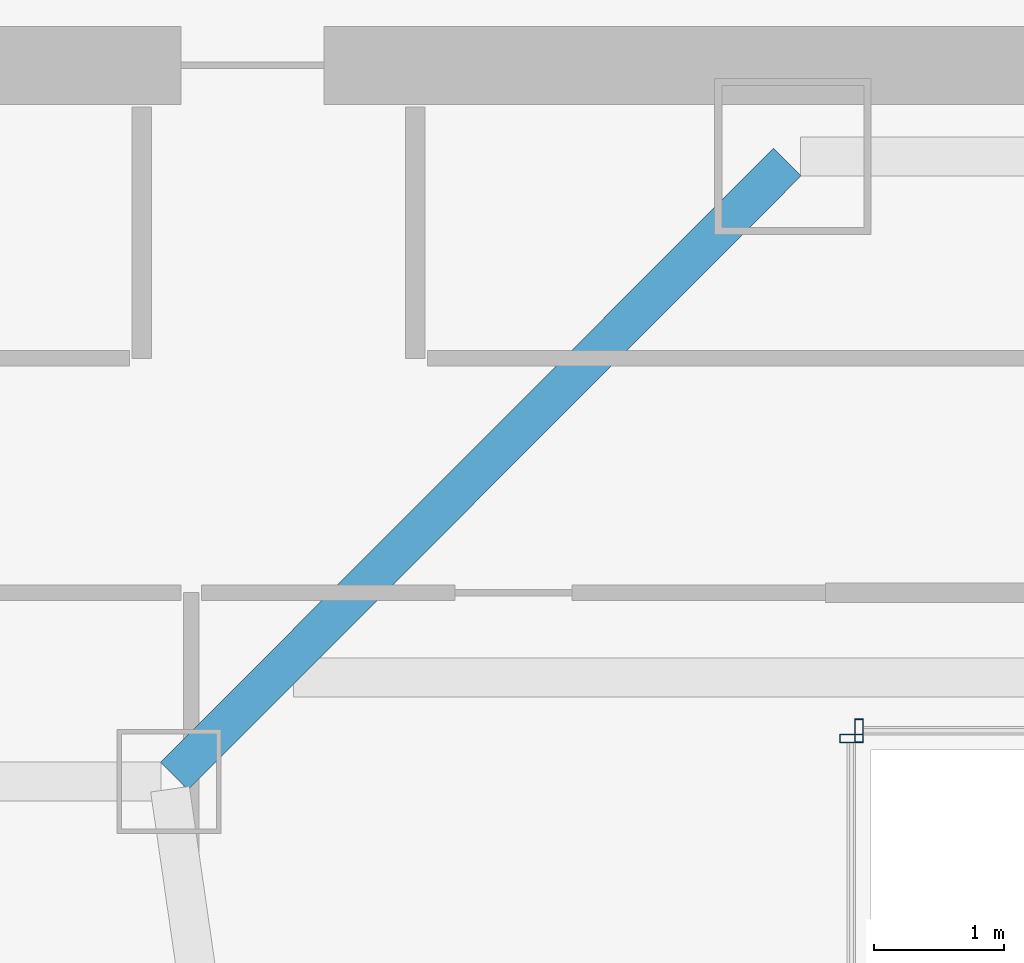
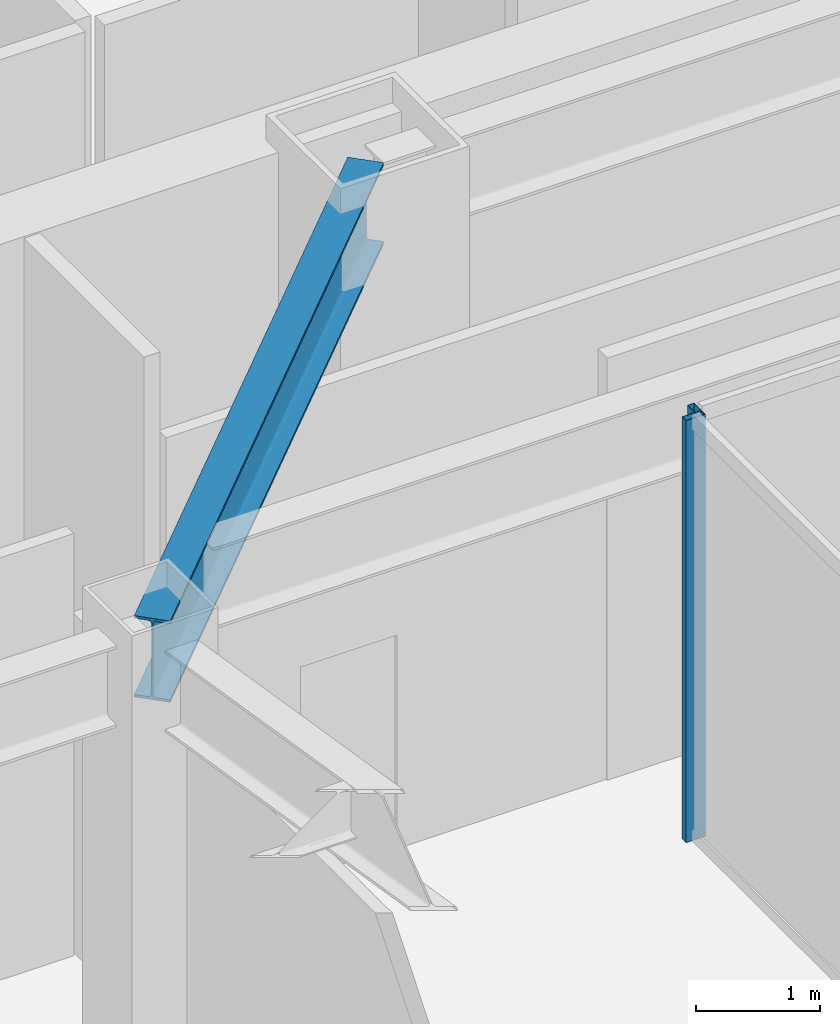
# One storey, part 24 of 47: 2 members, 1 beam, 2 elements without a shape of their own.
"""IFC4 building model written with IfcOpenShell, lengths in metres."""

from ifc_helpers import new_model, si_unit, direction, frame, origin, origin_2d, place, context, subcontext, project, spatial, hollow_rectangle, i_section, extrude, material, material_profile, profile_set, type_object, element, aggregate, save


model = new_model("IFC4")

# Units and contexts
model_context = context("Model", 3, precision=1e-05, world=origin(), true_north=direction((0.0, 1.0)))
body_context = subcontext(model_context, "Body", "Model", "MODEL_VIEW")
ifc_project = project(units=[si_unit("LENGTHUNIT", "METRE"), si_unit("AREAUNIT", "SQUARE_METRE"), si_unit("VOLUMEUNIT", "CUBIC_METRE"), si_unit("PLANEANGLEUNIT", "RADIAN"), si_unit("MASSUNIT", "GRAM", prefix="KILO")], contexts=[model_context])

# Site, building, storey
site_placement = place(None, origin())
site = spatial("IfcSite", under=ifc_project, at=site_placement, CompositionType="ELEMENT")
building_placement = place(site_placement, origin())
building = spatial("IfcBuilding", under=site, at=building_placement, Name="Saevonmaru Cultural Tower", CompositionType="ELEMENT")
storey_placement = place(building_placement, frame((0.0, 0.0, 69.199951171875)))
storey = spatial("IfcBuildingStorey", under=building, at=storey_placement, Name="L14", CompositionType="ELEMENT", Elevation=69.199951171875)

# Beam
ifc_material_1 = material(Name="Steel SM420", Category="steel")
ifc_material_profile_1 = material_profile(ifc_material_1, i_section(OverallWidth=0.300048828125, OverallDepth=0.800048828125, WebThickness=0.013916015625, FlangeThickness=0.02587890625, FilletRadius=0.028076171875, at=origin_2d()), Name="H-800x300x14x26")
ifc_profile_set_1 = profile_set([ifc_material_profile_1], Name="Steel SM420")
beam_type = type_object("IfcBeamType", Name="BM-G-H800", PredefinedType="BEAM", material=ifc_profile_set_1)
beam_placement = place(storey_placement, frame((18.850341796875, 37.642578125, 3.75), z_axis=(0.706538566564, 0.707674539572, 0.0), x_axis=(-0.707674539572, 0.706538566564, 0.0)))
element("IfcBeam", 1, at=beam_placement, inside=storey, type_object=beam_type, Name="L14 West Atrium Girder 6", PredefinedType="BEAM", context=body_context, shape_type="SweptSolid", body=[
    extrude(i_section(OverallWidth=0.300048828125, OverallDepth=0.800048828125, WebThickness=0.013916015625, FlangeThickness=0.02587890625, FilletRadius=0.028076171875, at=origin_2d()), origin(), (0.0, 0.0, 1.0), 6.662353515625),
])

# Curtain wall, member
ifc_material_2 = material(Name="Satin Bronze Anodised Aluminium", Category="aluminium")
curtain_wall_type = type_object("IfcCurtainWallType", Name="CW-ATR-GLZ", PredefinedType="NOTDEFINED", material=ifc_material_2)
curtain_wall_1_placement = place(storey_placement, origin())
curtain_wall_1 = element("IfcCurtainWall", 2, at=curtain_wall_1_placement, inside=storey, type_object=curtain_wall_type, Name="L14 Vertical Atrium Glazed Smoke Screen 3", PredefinedType="NOTDEFINED")
ifc_material_profile_2 = material_profile(ifc_material_2, hollow_rectangle(XDim=0.06494140625, YDim=0.179931640625, WallThickness=0.00390625, at=origin_2d()), Name="ALU-MULL-180x65x4")
ifc_profile_set_2 = profile_set([ifc_material_profile_2], Name="Satin Bronze Anodised Aluminium")
member_type = type_object("IfcMemberType", Name="ML-CW-INT-180x65", PredefinedType="MULLION", material=ifc_profile_set_2)
member_1_placement = place(storey_placement, frame((24.110107421875, 37.989990234375, 0.0), z_axis=(0.0, 0.0, 1.0), x_axis=(-1.0, 0.0, 0.0)))
member_1 = element("IfcMember", 3, at=member_1_placement, type_object=member_type, Name="CW-ATR-L14-3 mullion 2", PredefinedType="MULLION", context=body_context, shape_type="SweptSolid", body=[
    extrude(hollow_rectangle(XDim=0.06494140625, YDim=0.179931640625, WallThickness=0.00390625, at=origin_2d()), origin(), (0.0, 0.0, 1.0), 4.150146484375),
])
aggregate(curtain_wall_1, [member_1])

curtain_wall_2_placement = place(storey_placement, origin())
curtain_wall_2 = element("IfcCurtainWall", 4, at=curtain_wall_2_placement, inside=storey, type_object=curtain_wall_type, Name="L14 Vertical Atrium Glazed Smoke Screen 4", PredefinedType="NOTDEFINED")
member_2_placement = place(storey_placement, frame((24.050048828125, 37.929931640625, 0.0), z_axis=(0.0, 0.0, 1.0), x_axis=(0.0, -1.0, 0.0)))
member_2 = element("IfcMember", 5, at=member_2_placement, type_object=member_type, Name="CW-ATR-L14-4 mullion 1", PredefinedType="MULLION", context=body_context, shape_type="SweptSolid", body=[
    extrude(hollow_rectangle(XDim=0.06494140625, YDim=0.179931640625, WallThickness=0.00390625, at=origin_2d()), origin(), (0.0, 0.0, 1.0), 4.150146484375),
])
aggregate(curtain_wall_2, [member_2])

save(model, "model.ifc")
